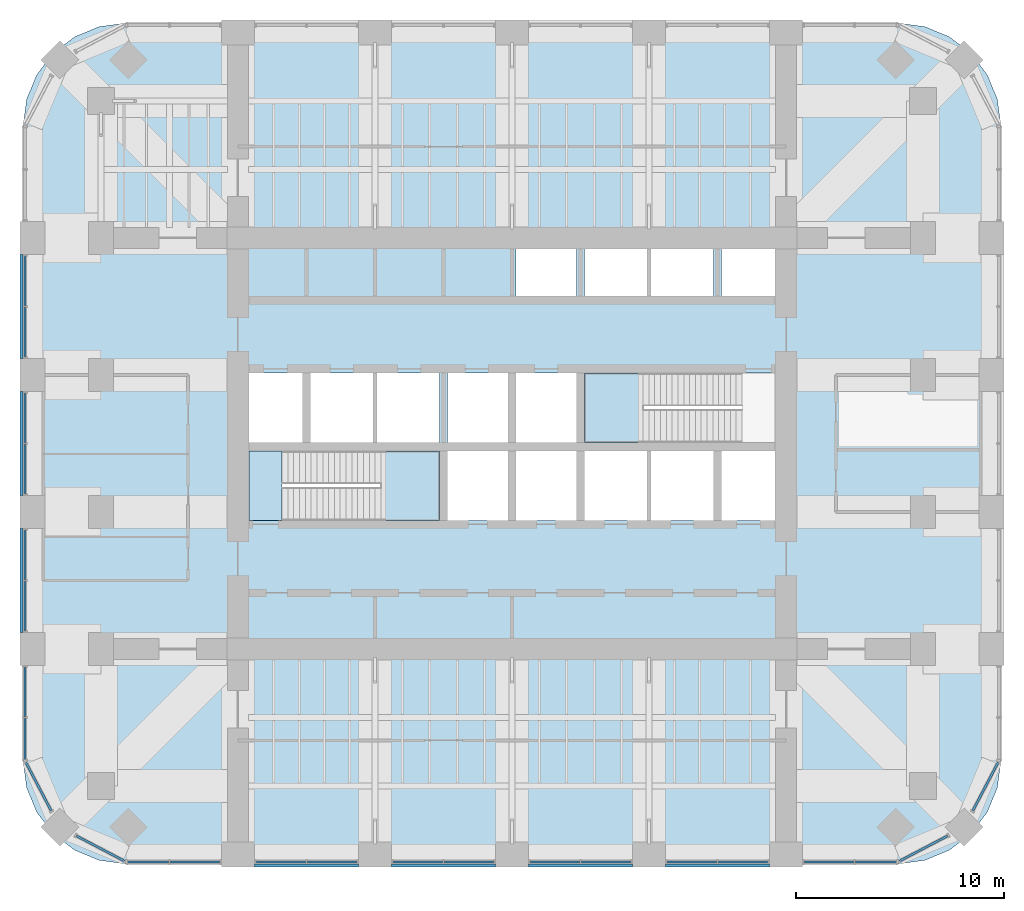
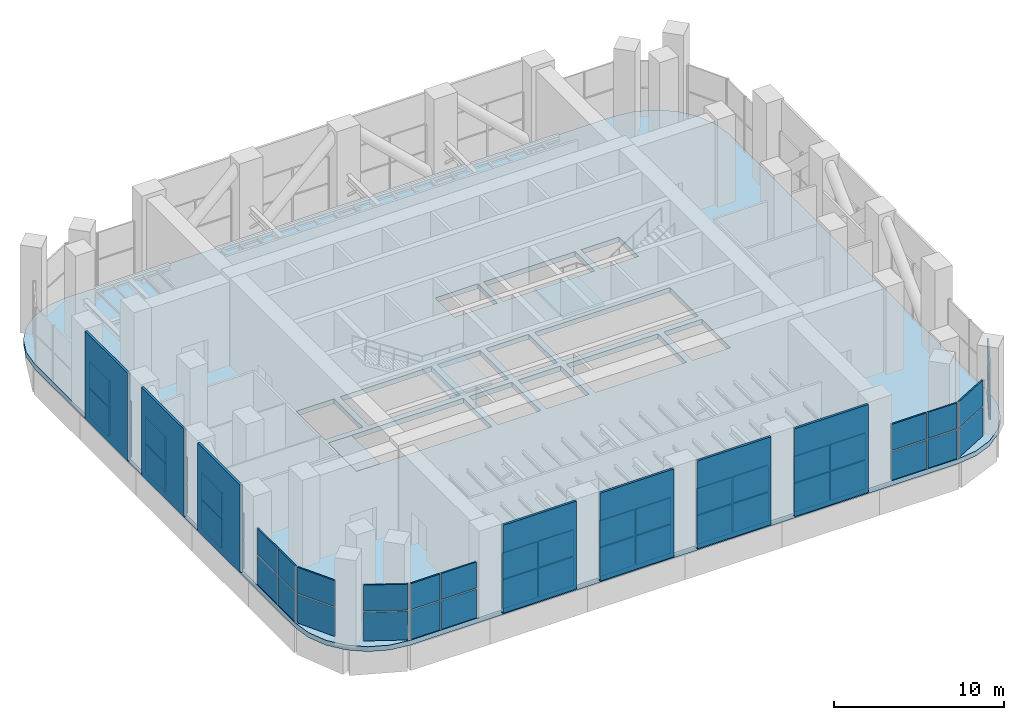
# One storey, part 9 of 15: 55 plates, 4 slabs, 16 elements without a shape of their own.
"""IFC4 building model written with IfcOpenShell, lengths in metres."""

from ifc_helpers import new_model, si_unit, direction, frame, origin, origin_2d, place, context, subcontext, project, spatial, polyline, rectangle, outline, extrude, material, layer, layer_set, type_object, element, aggregate, save


model = new_model("IFC4")

# Units and contexts
model_context = context("Model", 3, precision=1e-05, world=origin(), true_north=direction((0.0, 1.0)))
body_context = subcontext(model_context, "Body", "Model", "MODEL_VIEW")
ifc_project = project(units=[si_unit("LENGTHUNIT", "METRE"), si_unit("AREAUNIT", "SQUARE_METRE"), si_unit("VOLUMEUNIT", "CUBIC_METRE"), si_unit("PLANEANGLEUNIT", "RADIAN"), si_unit("MASSUNIT", "GRAM", prefix="KILO")], contexts=[model_context])

# Site, building, storey
site_placement = place(None, origin())
site = spatial("IfcSite", under=ifc_project, at=site_placement, CompositionType="ELEMENT")
building_placement = place(site_placement, origin())
building = spatial("IfcBuilding", under=site, at=building_placement, Name="Cobogo Forest Laboratory Tower", CompositionType="ELEMENT")
storey_placement = place(building_placement, frame((0.0, 0.0, 222.89990234375)))
storey = spatial("IfcBuildingStorey", under=building, at=storey_placement, Name="L51", CompositionType="ELEMENT", Elevation=222.89990234375)

# Plates
ifc_material_1 = material(Name="Pierced concrete block", Category="concrete")
ifc_layer_1 = layer(ifc_material_1, 0.14990234375)
ifc_layer_set_1 = layer_set([ifc_layer_1], Name="CO2 cobogo block screen 150")
plate_type_1 = type_object("IfcPlateType", Name="CO2 cobogo block screen 150", PredefinedType="USERDEFINED", material=ifc_layer_set_1)
for number, where, z_axis, x_axis, name in (
    (1, (16.5, 2.77490234375, -0.14990234375), (0.0, 0.0, 1.0), (1.0, 0.0, 0.0), "Cobogo screen S1 L51"),
    (2, (23.10009765625, 2.77490234375, -0.14990234375), (0.0, 0.0, 1.0), (1.0, 0.0, 0.0), "Cobogo screen S2 L51"),
    (3, (29.699951171875, 2.77490234375, -0.14990234375), (0.0, 0.0, 1.0), (1.0, 0.0, 0.0), "Cobogo screen S3 L51"),
    (4, (36.300048828125, 2.77490234375, -0.14990234375), (0.0, 0.0, 1.0), (1.0, 0.0, 0.0), "Cobogo screen S4 L51"),
    (5, (2.77490234375, 16.5, -0.14990234375), (0.0, 0.0, 1.0), (0.0, 1.0, 0.0), "Cobogo screen W1 L51"),
    (6, (2.77490234375, 23.10009765625, -0.14990234375), (0.0, 0.0, 1.0), (0.0, 1.0, 0.0), "Cobogo screen W2 L51"),
    (7, (2.77490234375, 29.699951171875, -0.14990234375), (0.0, 0.0, 1.0), (0.0, 1.0, 0.0), "Cobogo screen W3 L51"),
):
    element("IfcPlate", number, at=place(storey_placement, frame(where, z_axis=z_axis, x_axis=x_axis)), inside=storey, type_object=plate_type_1, Name=name, ObjectType="COBOGO SCREEN", PredefinedType="USERDEFINED", context=body_context, shape_type="SweptSolid", body=[
        extrude(rectangle(XDim=5.0, YDim=0.14990234375, at=origin_2d()), origin(), (0.0, 0.0, 1.0), 6.300048828125),
    ])

# Curtain wall, plates
ifc_material_2 = material(Name="Aluminium curtain wall", Category="aluminium")
curtain_wall_type = type_object("IfcCurtainWallType", Name="CW-P louvred curtain wall, plant floors", PredefinedType="USERDEFINED", material=ifc_material_2)
curtain_wall_1_placement = place(storey_placement, origin())
curtain_wall_1 = element("IfcCurtainWall", 8, at=curtain_wall_1_placement, inside=storey, type_object=curtain_wall_type, Name="Curtain wall 01 L51", ObjectType="LOUVRED CURTAIN WALL", PredefinedType="USERDEFINED")
ifc_material_3 = material(Name="Aluminium louvre", Category="aluminium")
ifc_layer_2 = layer(ifc_material_3, 0.10009765625)
ifc_layer_set_2 = layer_set([ifc_layer_2], Name="LV-1 aluminium weather louvre panel 100")
plate_type_2 = type_object("IfcPlateType", Name="LV-1 aluminium weather louvre panel 100", PredefinedType="CURTAIN_PANEL", material=ifc_layer_set_2)
plate_1_placement = place(storey_placement, frame((8.8701171875, 2.949951171875, 0.0), z_axis=(0.0, 0.0, 1.0), x_axis=(1.0, 0.0, 0.0)))
plate_1 = element("IfcPlate", 9, at=plate_1_placement, type_object=plate_type_2, Name="CW-P panel 1.1", PredefinedType="CURTAIN_PANEL", context=body_context, shape_type="SweptSolid", body=[
    extrude(rectangle(XDim=1.97998046875, YDim=0.10009765625, at=origin_2d()), origin(), (0.0, 0.0, 1.0), 2.06005859375),
])
plate_2_placement = place(storey_placement, frame((8.8701171875, 2.949951171875, 2.14013671875), z_axis=(0.0, 0.0, 1.0), x_axis=(1.0, 0.0, 0.0)))
plate_2 = element("IfcPlate", 10, at=plate_2_placement, type_object=plate_type_2, Name="CW-P panel 1.2", PredefinedType="CURTAIN_PANEL", context=body_context, shape_type="SweptSolid", body=[
    extrude(rectangle(XDim=1.97998046875, YDim=0.10009765625, at=origin_2d()), origin(), (0.0, 0.0, 1.0), 1.860107421875),
])
plate_3_placement = place(storey_placement, frame((11.1298828125, 2.949951171875, 0.0), z_axis=(0.0, 0.0, 1.0), x_axis=(1.0, 0.0, 0.0)))
plate_3 = element("IfcPlate", 11, at=plate_3_placement, type_object=plate_type_2, Name="CW-P panel 2.1", PredefinedType="CURTAIN_PANEL", context=body_context, shape_type="SweptSolid", body=[
    extrude(rectangle(XDim=2.3798828125, YDim=0.10009765625, at=origin_2d()), origin(), (0.0, 0.0, 1.0), 2.06005859375),
])
plate_4_placement = place(storey_placement, frame((11.1298828125, 2.949951171875, 2.14013671875), z_axis=(0.0, 0.0, 1.0), x_axis=(1.0, 0.0, 0.0)))
plate_4 = element("IfcPlate", 12, at=plate_4_placement, type_object=plate_type_2, Name="CW-P panel 2.2", PredefinedType="CURTAIN_PANEL", context=body_context, shape_type="SweptSolid", body=[
    extrude(rectangle(XDim=2.3798828125, YDim=0.10009765625, at=origin_2d()), origin(), (0.0, 0.0, 1.0), 1.860107421875),
])
aggregate(curtain_wall_1, [plate_1, plate_2, plate_3, plate_4])

curtain_wall_2_placement = place(storey_placement, origin())
curtain_wall_2 = element("IfcCurtainWall", 13, at=curtain_wall_2_placement, inside=storey, type_object=curtain_wall_type, Name="Curtain wall 02 L51", ObjectType="LOUVRED CURTAIN WALL", PredefinedType="USERDEFINED")
plate_5_placement = place(storey_placement, frame((15.27001953125, 2.949951171875, 0.0), z_axis=(0.0, 0.0, 1.0), x_axis=(1.0, 0.0, 0.0)))
plate_5 = element("IfcPlate", 14, at=plate_5_placement, type_object=plate_type_2, Name="CW-P panel 1.1", PredefinedType="CURTAIN_PANEL", context=body_context, shape_type="SweptSolid", body=[
    extrude(rectangle(XDim=2.3798828125, YDim=0.10009765625, at=origin_2d()), origin(), (0.0, 0.0, 1.0), 2.06005859375),
])
plate_6_placement = place(storey_placement, frame((15.27001953125, 2.949951171875, 2.14013671875), z_axis=(0.0, 0.0, 1.0), x_axis=(1.0, 0.0, 0.0)))
plate_6 = element("IfcPlate", 15, at=plate_6_placement, type_object=plate_type_2, Name="CW-P panel 1.2", PredefinedType="CURTAIN_PANEL", context=body_context, shape_type="SweptSolid", body=[
    extrude(rectangle(XDim=2.3798828125, YDim=0.10009765625, at=origin_2d()), origin(), (0.0, 0.0, 1.0), 1.860107421875),
])
plate_7_placement = place(storey_placement, frame((17.72998046875, 2.949951171875, 0.0), z_axis=(0.0, 0.0, 1.0), x_axis=(1.0, 0.0, 0.0)))
plate_7 = element("IfcPlate", 16, at=plate_7_placement, type_object=plate_type_2, Name="CW-P panel 2.1", PredefinedType="CURTAIN_PANEL", context=body_context, shape_type="SweptSolid", body=[
    extrude(rectangle(XDim=2.3798828125, YDim=0.10009765625, at=origin_2d()), origin(), (0.0, 0.0, 1.0), 2.06005859375),
])
plate_8_placement = place(storey_placement, frame((17.72998046875, 2.949951171875, 2.14013671875), z_axis=(0.0, 0.0, 1.0), x_axis=(1.0, 0.0, 0.0)))
plate_8 = element("IfcPlate", 17, at=plate_8_placement, type_object=plate_type_2, Name="CW-P panel 2.2", PredefinedType="CURTAIN_PANEL", context=body_context, shape_type="SweptSolid", body=[
    extrude(rectangle(XDim=2.3798828125, YDim=0.10009765625, at=origin_2d()), origin(), (0.0, 0.0, 1.0), 1.860107421875),
])
aggregate(curtain_wall_2, [plate_5, plate_6, plate_7, plate_8])

curtain_wall_3_placement = place(storey_placement, origin())
curtain_wall_3 = element("IfcCurtainWall", 18, at=curtain_wall_3_placement, inside=storey, type_object=curtain_wall_type, Name="Curtain wall 03 L51", ObjectType="LOUVRED CURTAIN WALL", PredefinedType="USERDEFINED")
plate_9_placement = place(storey_placement, frame((21.8701171875, 2.949951171875, 0.0), z_axis=(0.0, 0.0, 1.0), x_axis=(1.0, 0.0, 0.0)))
plate_9 = element("IfcPlate", 19, at=plate_9_placement, type_object=plate_type_2, Name="CW-P panel 1.1", PredefinedType="CURTAIN_PANEL", context=body_context, shape_type="SweptSolid", body=[
    extrude(rectangle(XDim=2.3798828125, YDim=0.10009765625, at=origin_2d()), origin(), (0.0, 0.0, 1.0), 2.06005859375),
])
plate_10_placement = place(storey_placement, frame((21.8701171875, 2.949951171875, 2.14013671875), z_axis=(0.0, 0.0, 1.0), x_axis=(1.0, 0.0, 0.0)))
plate_10 = element("IfcPlate", 20, at=plate_10_placement, type_object=plate_type_2, Name="CW-P panel 1.2", PredefinedType="CURTAIN_PANEL", context=body_context, shape_type="SweptSolid", body=[
    extrude(rectangle(XDim=2.3798828125, YDim=0.10009765625, at=origin_2d()), origin(), (0.0, 0.0, 1.0), 1.860107421875),
])
plate_11_placement = place(storey_placement, frame((24.330078125, 2.949951171875, 0.0), z_axis=(0.0, 0.0, 1.0), x_axis=(1.0, 0.0, 0.0)))
plate_11 = element("IfcPlate", 21, at=plate_11_placement, type_object=plate_type_2, Name="CW-P panel 2.1", PredefinedType="CURTAIN_PANEL", context=body_context, shape_type="SweptSolid", body=[
    extrude(rectangle(XDim=2.3798828125, YDim=0.10009765625, at=origin_2d()), origin(), (0.0, 0.0, 1.0), 2.06005859375),
])
plate_12_placement = place(storey_placement, frame((24.330078125, 2.949951171875, 2.14013671875), z_axis=(0.0, 0.0, 1.0), x_axis=(1.0, 0.0, 0.0)))
plate_12 = element("IfcPlate", 22, at=plate_12_placement, type_object=plate_type_2, Name="CW-P panel 2.2", PredefinedType="CURTAIN_PANEL", context=body_context, shape_type="SweptSolid", body=[
    extrude(rectangle(XDim=2.3798828125, YDim=0.10009765625, at=origin_2d()), origin(), (0.0, 0.0, 1.0), 1.860107421875),
])
aggregate(curtain_wall_3, [plate_9, plate_10, plate_11, plate_12])

curtain_wall_4_placement = place(storey_placement, origin())
curtain_wall_4 = element("IfcCurtainWall", 23, at=curtain_wall_4_placement, inside=storey, type_object=curtain_wall_type, Name="Curtain wall 04 L51", ObjectType="LOUVRED CURTAIN WALL", PredefinedType="USERDEFINED")
plate_13_placement = place(storey_placement, frame((28.469970703125, 2.949951171875, 0.0), z_axis=(0.0, 0.0, 1.0), x_axis=(1.0, 0.0, 0.0)))
plate_13 = element("IfcPlate", 24, at=plate_13_placement, type_object=plate_type_2, Name="CW-P panel 1.1", PredefinedType="CURTAIN_PANEL", context=body_context, shape_type="SweptSolid", body=[
    extrude(rectangle(XDim=2.3798828125, YDim=0.10009765625, at=origin_2d()), origin(), (0.0, 0.0, 1.0), 2.06005859375),
])
plate_14_placement = place(storey_placement, frame((28.469970703125, 2.949951171875, 2.14013671875), z_axis=(0.0, 0.0, 1.0), x_axis=(1.0, 0.0, 0.0)))
plate_14 = element("IfcPlate", 25, at=plate_14_placement, type_object=plate_type_2, Name="CW-P panel 1.2", PredefinedType="CURTAIN_PANEL", context=body_context, shape_type="SweptSolid", body=[
    extrude(rectangle(XDim=2.3798828125, YDim=0.10009765625, at=origin_2d()), origin(), (0.0, 0.0, 1.0), 1.860107421875),
])
plate_15_placement = place(storey_placement, frame((30.929931640625, 2.949951171875, 0.0), z_axis=(0.0, 0.0, 1.0), x_axis=(1.0, 0.0, 0.0)))
plate_15 = element("IfcPlate", 26, at=plate_15_placement, type_object=plate_type_2, Name="CW-P panel 2.1", PredefinedType="CURTAIN_PANEL", context=body_context, shape_type="SweptSolid", body=[
    extrude(rectangle(XDim=2.3798828125, YDim=0.10009765625, at=origin_2d()), origin(), (0.0, 0.0, 1.0), 2.06005859375),
])
plate_16_placement = place(storey_placement, frame((30.929931640625, 2.949951171875, 2.14013671875), z_axis=(0.0, 0.0, 1.0), x_axis=(1.0, 0.0, 0.0)))
plate_16 = element("IfcPlate", 27, at=plate_16_placement, type_object=plate_type_2, Name="CW-P panel 2.2", PredefinedType="CURTAIN_PANEL", context=body_context, shape_type="SweptSolid", body=[
    extrude(rectangle(XDim=2.3798828125, YDim=0.10009765625, at=origin_2d()), origin(), (0.0, 0.0, 1.0), 1.860107421875),
])
aggregate(curtain_wall_4, [plate_13, plate_14, plate_15, plate_16])

curtain_wall_5_placement = place(storey_placement, origin())
curtain_wall_5 = element("IfcCurtainWall", 28, at=curtain_wall_5_placement, inside=storey, type_object=curtain_wall_type, Name="Curtain wall 05 L51", ObjectType="LOUVRED CURTAIN WALL", PredefinedType="USERDEFINED")
plate_17_placement = place(storey_placement, frame((35.070068359375, 2.949951171875, 0.0), z_axis=(0.0, 0.0, 1.0), x_axis=(1.0, 0.0, 0.0)))
plate_17 = element("IfcPlate", 29, at=plate_17_placement, type_object=plate_type_2, Name="CW-P panel 1.1", PredefinedType="CURTAIN_PANEL", context=body_context, shape_type="SweptSolid", body=[
    extrude(rectangle(XDim=2.3798828125, YDim=0.10009765625, at=origin_2d()), origin(), (0.0, 0.0, 1.0), 2.06005859375),
])
plate_18_placement = place(storey_placement, frame((35.070068359375, 2.949951171875, 2.14013671875), z_axis=(0.0, 0.0, 1.0), x_axis=(1.0, 0.0, 0.0)))
plate_18 = element("IfcPlate", 30, at=plate_18_placement, type_object=plate_type_2, Name="CW-P panel 1.2", PredefinedType="CURTAIN_PANEL", context=body_context, shape_type="SweptSolid", body=[
    extrude(rectangle(XDim=2.3798828125, YDim=0.10009765625, at=origin_2d()), origin(), (0.0, 0.0, 1.0), 1.860107421875),
])
plate_19_placement = place(storey_placement, frame((37.530029296875, 2.949951171875, 0.0), z_axis=(0.0, 0.0, 1.0), x_axis=(1.0, 0.0, 0.0)))
plate_19 = element("IfcPlate", 31, at=plate_19_placement, type_object=plate_type_2, Name="CW-P panel 2.1", PredefinedType="CURTAIN_PANEL", context=body_context, shape_type="SweptSolid", body=[
    extrude(rectangle(XDim=2.3798828125, YDim=0.10009765625, at=origin_2d()), origin(), (0.0, 0.0, 1.0), 2.06005859375),
])
plate_20_placement = place(storey_placement, frame((37.530029296875, 2.949951171875, 2.14013671875), z_axis=(0.0, 0.0, 1.0), x_axis=(1.0, 0.0, 0.0)))
plate_20 = element("IfcPlate", 32, at=plate_20_placement, type_object=plate_type_2, Name="CW-P panel 2.2", PredefinedType="CURTAIN_PANEL", context=body_context, shape_type="SweptSolid", body=[
    extrude(rectangle(XDim=2.3798828125, YDim=0.10009765625, at=origin_2d()), origin(), (0.0, 0.0, 1.0), 1.860107421875),
])
aggregate(curtain_wall_5, [plate_17, plate_18, plate_19, plate_20])

curtain_wall_6_placement = place(storey_placement, origin())
curtain_wall_6 = element("IfcCurtainWall", 33, at=curtain_wall_6_placement, inside=storey, type_object=curtain_wall_type, Name="Curtain wall 06 L51", ObjectType="LOUVRED CURTAIN WALL", PredefinedType="USERDEFINED")
plate_21_placement = place(storey_placement, frame((41.669921875, 2.949951171875, 0.0), z_axis=(0.0, 0.0, 1.0), x_axis=(1.0, 0.0, 0.0)))
plate_21 = element("IfcPlate", 34, at=plate_21_placement, type_object=plate_type_2, Name="CW-P panel 1.1", PredefinedType="CURTAIN_PANEL", context=body_context, shape_type="SweptSolid", body=[
    extrude(rectangle(XDim=2.3798828125, YDim=0.10009765625, at=origin_2d()), origin(), (0.0, 0.0, 1.0), 2.06005859375),
])
plate_22_placement = place(storey_placement, frame((41.669921875, 2.949951171875, 2.14013671875), z_axis=(0.0, 0.0, 1.0), x_axis=(1.0, 0.0, 0.0)))
plate_22 = element("IfcPlate", 35, at=plate_22_placement, type_object=plate_type_2, Name="CW-P panel 1.2", PredefinedType="CURTAIN_PANEL", context=body_context, shape_type="SweptSolid", body=[
    extrude(rectangle(XDim=2.3798828125, YDim=0.10009765625, at=origin_2d()), origin(), (0.0, 0.0, 1.0), 1.860107421875),
])
plate_23_placement = place(storey_placement, frame((43.929931640625, 2.949951171875, 0.0), z_axis=(0.0, 0.0, 1.0), x_axis=(1.0, 0.0, 0.0)))
plate_23 = element("IfcPlate", 36, at=plate_23_placement, type_object=plate_type_2, Name="CW-P panel 2.1", PredefinedType="CURTAIN_PANEL", context=body_context, shape_type="SweptSolid", body=[
    extrude(rectangle(XDim=1.97998046875, YDim=0.10009765625, at=origin_2d()), origin(), (0.0, 0.0, 1.0), 2.06005859375),
])
plate_24_placement = place(storey_placement, frame((43.929931640625, 2.949951171875, 2.14013671875), z_axis=(0.0, 0.0, 1.0), x_axis=(1.0, 0.0, 0.0)))
plate_24 = element("IfcPlate", 37, at=plate_24_placement, type_object=plate_type_2, Name="CW-P panel 2.2", PredefinedType="CURTAIN_PANEL", context=body_context, shape_type="SweptSolid", body=[
    extrude(rectangle(XDim=1.97998046875, YDim=0.10009765625, at=origin_2d()), origin(), (0.0, 0.0, 1.0), 1.860107421875),
])
aggregate(curtain_wall_6, [plate_21, plate_22, plate_23, plate_24])

curtain_wall_7_placement = place(storey_placement, origin())
curtain_wall_7 = element("IfcCurtainWall", 38, at=curtain_wall_7_placement, inside=storey, type_object=curtain_wall_type, Name="Curtain wall 07 L51", ObjectType="LOUVRED CURTAIN WALL", PredefinedType="USERDEFINED")
plate_25_placement = place(storey_placement, frame((46.229248046875, 3.59423828125, 0.0), z_axis=(0.0, 0.0, 1.0), x_axis=(0.885686547075, 0.464283685186, 0.0)))
plate_25 = element("IfcPlate", 39, at=plate_25_placement, type_object=plate_type_2, Name="CW-P panel 1.1", PredefinedType="CURTAIN_PANEL", context=body_context, shape_type="SweptSolid", body=[
    extrude(rectangle(XDim=2.615478515625, YDim=0.10009765625, at=origin_2d()), origin(), (0.0, 0.0, 1.0), 2.06005859375),
])
plate_26_placement = place(storey_placement, frame((46.229248046875, 3.59423828125, 2.14013671875), z_axis=(0.0, 0.0, 1.0), x_axis=(0.885686547075, 0.464283685186, 0.0)))
plate_26 = element("IfcPlate", 40, at=plate_26_placement, type_object=plate_type_2, Name="CW-P panel 1.2", PredefinedType="CURTAIN_PANEL", context=body_context, shape_type="SweptSolid", body=[
    extrude(rectangle(XDim=2.615478515625, YDim=0.10009765625, at=origin_2d()), origin(), (0.0, 0.0, 1.0), 1.860107421875),
])
aggregate(curtain_wall_7, [plate_25, plate_26])

curtain_wall_8_placement = place(storey_placement, origin())
curtain_wall_8 = element("IfcCurtainWall", 41, at=curtain_wall_8_placement, inside=storey, type_object=curtain_wall_type, Name="Curtain wall 08 L51", ObjectType="LOUVRED CURTAIN WALL", PredefinedType="USERDEFINED")
plate_27_placement = place(storey_placement, frame((49.20556640625, 6.57080078125, 0.0), z_axis=(0.0, 0.0, 1.0), x_axis=(0.464283685186, 0.885686547075, 0.0)))
plate_27 = element("IfcPlate", 42, at=plate_27_placement, type_object=plate_type_2, Name="CW-P panel 1.1", PredefinedType="CURTAIN_PANEL", context=body_context, shape_type="SweptSolid", body=[
    extrude(rectangle(XDim=2.615478515625, YDim=0.10009765625, at=origin_2d()), origin(), (0.0, 0.0, 1.0), 2.06005859375),
])
plate_28_placement = place(storey_placement, frame((49.20556640625, 6.57080078125, 2.14013671875), z_axis=(0.0, 0.0, 1.0), x_axis=(0.464283685186, 0.885686547075, 0.0)))
plate_28 = element("IfcPlate", 43, at=plate_28_placement, type_object=plate_type_2, Name="CW-P panel 1.2", PredefinedType="CURTAIN_PANEL", context=body_context, shape_type="SweptSolid", body=[
    extrude(rectangle(XDim=2.615478515625, YDim=0.10009765625, at=origin_2d()), origin(), (0.0, 0.0, 1.0), 1.860107421875),
])
aggregate(curtain_wall_8, [plate_27, plate_28])

curtain_wall_9_placement = place(storey_placement, origin())
curtain_wall_9 = element("IfcCurtainWall", 44, at=curtain_wall_9_placement, inside=storey, type_object=curtain_wall_type, Name="Curtain wall 25 L51", ObjectType="LOUVRED CURTAIN WALL", PredefinedType="USERDEFINED")
plate_29_placement = place(storey_placement, frame((2.949951171875, 30.929931640625, 0.0), z_axis=(0.0, 0.0, 1.0), x_axis=(0.0, -1.0, 0.0)))
plate_29 = element("IfcPlate", 45, at=plate_29_placement, type_object=plate_type_2, Name="CW-P panel 1.1", PredefinedType="CURTAIN_PANEL", context=body_context, shape_type="SweptSolid", body=[
    extrude(rectangle(XDim=2.3798828125, YDim=0.10009765625, at=origin_2d()), origin(), (0.0, 0.0, 1.0), 2.06005859375),
])
plate_30_placement = place(storey_placement, frame((2.949951171875, 30.929931640625, 2.14013671875), z_axis=(0.0, 0.0, 1.0), x_axis=(0.0, -1.0, 0.0)))
plate_30 = element("IfcPlate", 46, at=plate_30_placement, type_object=plate_type_2, Name="CW-P panel 1.2", PredefinedType="CURTAIN_PANEL", context=body_context, shape_type="SweptSolid", body=[
    extrude(rectangle(XDim=2.3798828125, YDim=0.10009765625, at=origin_2d()), origin(), (0.0, 0.0, 1.0), 1.860107421875),
])
plate_31_placement = place(storey_placement, frame((2.949951171875, 28.469970703125, 0.0), z_axis=(0.0, 0.0, 1.0), x_axis=(0.0, -1.0, 0.0)))
plate_31 = element("IfcPlate", 47, at=plate_31_placement, type_object=plate_type_2, Name="CW-P panel 2.1", PredefinedType="CURTAIN_PANEL", context=body_context, shape_type="SweptSolid", body=[
    extrude(rectangle(XDim=2.3798828125, YDim=0.10009765625, at=origin_2d()), origin(), (0.0, 0.0, 1.0), 2.06005859375),
])
plate_32_placement = place(storey_placement, frame((2.949951171875, 28.469970703125, 2.14013671875), z_axis=(0.0, 0.0, 1.0), x_axis=(0.0, -1.0, 0.0)))
plate_32 = element("IfcPlate", 48, at=plate_32_placement, type_object=plate_type_2, Name="CW-P panel 2.2", PredefinedType="CURTAIN_PANEL", context=body_context, shape_type="SweptSolid", body=[
    extrude(rectangle(XDim=2.3798828125, YDim=0.10009765625, at=origin_2d()), origin(), (0.0, 0.0, 1.0), 1.860107421875),
])
aggregate(curtain_wall_9, [plate_29, plate_30, plate_31, plate_32])

curtain_wall_10_placement = place(storey_placement, origin())
curtain_wall_10 = element("IfcCurtainWall", 49, at=curtain_wall_10_placement, inside=storey, type_object=curtain_wall_type, Name="Curtain wall 26 L51", ObjectType="LOUVRED CURTAIN WALL", PredefinedType="USERDEFINED")
plate_33_placement = place(storey_placement, frame((2.949951171875, 24.330078125, 0.0), z_axis=(0.0, 0.0, 1.0), x_axis=(0.0, -1.0, 0.0)))
plate_33 = element("IfcPlate", 50, at=plate_33_placement, type_object=plate_type_2, Name="CW-P panel 1.1", PredefinedType="CURTAIN_PANEL", context=body_context, shape_type="SweptSolid", body=[
    extrude(rectangle(XDim=2.3798828125, YDim=0.10009765625, at=origin_2d()), origin(), (0.0, 0.0, 1.0), 2.06005859375),
])
plate_34_placement = place(storey_placement, frame((2.949951171875, 24.330078125, 2.14013671875), z_axis=(0.0, 0.0, 1.0), x_axis=(0.0, -1.0, 0.0)))
plate_34 = element("IfcPlate", 51, at=plate_34_placement, type_object=plate_type_2, Name="CW-P panel 1.2", PredefinedType="CURTAIN_PANEL", context=body_context, shape_type="SweptSolid", body=[
    extrude(rectangle(XDim=2.3798828125, YDim=0.10009765625, at=origin_2d()), origin(), (0.0, 0.0, 1.0), 1.860107421875),
])
plate_35_placement = place(storey_placement, frame((2.949951171875, 21.8701171875, 0.0), z_axis=(0.0, 0.0, 1.0), x_axis=(0.0, -1.0, 0.0)))
plate_35 = element("IfcPlate", 52, at=plate_35_placement, type_object=plate_type_2, Name="CW-P panel 2.1", PredefinedType="CURTAIN_PANEL", context=body_context, shape_type="SweptSolid", body=[
    extrude(rectangle(XDim=2.3798828125, YDim=0.10009765625, at=origin_2d()), origin(), (0.0, 0.0, 1.0), 2.06005859375),
])
plate_36_placement = place(storey_placement, frame((2.949951171875, 21.8701171875, 2.14013671875), z_axis=(0.0, 0.0, 1.0), x_axis=(0.0, -1.0, 0.0)))
plate_36 = element("IfcPlate", 53, at=plate_36_placement, type_object=plate_type_2, Name="CW-P panel 2.2", PredefinedType="CURTAIN_PANEL", context=body_context, shape_type="SweptSolid", body=[
    extrude(rectangle(XDim=2.3798828125, YDim=0.10009765625, at=origin_2d()), origin(), (0.0, 0.0, 1.0), 1.860107421875),
])
aggregate(curtain_wall_10, [plate_33, plate_34, plate_35, plate_36])

curtain_wall_11_placement = place(storey_placement, origin())
curtain_wall_11 = element("IfcCurtainWall", 54, at=curtain_wall_11_placement, inside=storey, type_object=curtain_wall_type, Name="Curtain wall 27 L51", ObjectType="LOUVRED CURTAIN WALL", PredefinedType="USERDEFINED")
plate_37_placement = place(storey_placement, frame((2.949951171875, 17.72998046875, 0.0), z_axis=(0.0, 0.0, 1.0), x_axis=(0.0, -1.0, 0.0)))
plate_37 = element("IfcPlate", 55, at=plate_37_placement, type_object=plate_type_2, Name="CW-P panel 1.1", PredefinedType="CURTAIN_PANEL", context=body_context, shape_type="SweptSolid", body=[
    extrude(rectangle(XDim=2.3798828125, YDim=0.10009765625, at=origin_2d()), origin(), (0.0, 0.0, 1.0), 2.06005859375),
])
plate_38_placement = place(storey_placement, frame((2.949951171875, 17.72998046875, 2.14013671875), z_axis=(0.0, 0.0, 1.0), x_axis=(0.0, -1.0, 0.0)))
plate_38 = element("IfcPlate", 56, at=plate_38_placement, type_object=plate_type_2, Name="CW-P panel 1.2", PredefinedType="CURTAIN_PANEL", context=body_context, shape_type="SweptSolid", body=[
    extrude(rectangle(XDim=2.3798828125, YDim=0.10009765625, at=origin_2d()), origin(), (0.0, 0.0, 1.0), 1.860107421875),
])
plate_39_placement = place(storey_placement, frame((2.949951171875, 15.27001953125, 0.0), z_axis=(0.0, 0.0, 1.0), x_axis=(0.0, -1.0, 0.0)))
plate_39 = element("IfcPlate", 57, at=plate_39_placement, type_object=plate_type_2, Name="CW-P panel 2.1", PredefinedType="CURTAIN_PANEL", context=body_context, shape_type="SweptSolid", body=[
    extrude(rectangle(XDim=2.3798828125, YDim=0.10009765625, at=origin_2d()), origin(), (0.0, 0.0, 1.0), 2.06005859375),
])
plate_40_placement = place(storey_placement, frame((2.949951171875, 15.27001953125, 2.14013671875), z_axis=(0.0, 0.0, 1.0), x_axis=(0.0, -1.0, 0.0)))
plate_40 = element("IfcPlate", 58, at=plate_40_placement, type_object=plate_type_2, Name="CW-P panel 2.2", PredefinedType="CURTAIN_PANEL", context=body_context, shape_type="SweptSolid", body=[
    extrude(rectangle(XDim=2.3798828125, YDim=0.10009765625, at=origin_2d()), origin(), (0.0, 0.0, 1.0), 1.860107421875),
])
aggregate(curtain_wall_11, [plate_37, plate_38, plate_39, plate_40])

curtain_wall_12_placement = place(storey_placement, origin())
curtain_wall_12 = element("IfcCurtainWall", 59, at=curtain_wall_12_placement, inside=storey, type_object=curtain_wall_type, Name="Curtain wall 28 L51", ObjectType="LOUVRED CURTAIN WALL", PredefinedType="USERDEFINED")
plate_41_placement = place(storey_placement, frame((2.949951171875, 11.1298828125, 0.0), z_axis=(0.0, 0.0, 1.0), x_axis=(0.0, -1.0, 0.0)))
plate_41 = element("IfcPlate", 60, at=plate_41_placement, type_object=plate_type_2, Name="CW-P panel 1.1", PredefinedType="CURTAIN_PANEL", context=body_context, shape_type="SweptSolid", body=[
    extrude(rectangle(XDim=2.3798828125, YDim=0.10009765625, at=origin_2d()), origin(), (0.0, 0.0, 1.0), 2.06005859375),
])
plate_42_placement = place(storey_placement, frame((2.949951171875, 11.1298828125, 2.14013671875), z_axis=(0.0, 0.0, 1.0), x_axis=(0.0, -1.0, 0.0)))
plate_42 = element("IfcPlate", 61, at=plate_42_placement, type_object=plate_type_2, Name="CW-P panel 1.2", PredefinedType="CURTAIN_PANEL", context=body_context, shape_type="SweptSolid", body=[
    extrude(rectangle(XDim=2.3798828125, YDim=0.10009765625, at=origin_2d()), origin(), (0.0, 0.0, 1.0), 1.860107421875),
])
plate_43_placement = place(storey_placement, frame((2.949951171875, 8.8701171875, 0.0), z_axis=(0.0, 0.0, 1.0), x_axis=(0.0, -1.0, 0.0)))
plate_43 = element("IfcPlate", 62, at=plate_43_placement, type_object=plate_type_2, Name="CW-P panel 2.1", PredefinedType="CURTAIN_PANEL", context=body_context, shape_type="SweptSolid", body=[
    extrude(rectangle(XDim=1.97998046875, YDim=0.10009765625, at=origin_2d()), origin(), (0.0, 0.0, 1.0), 2.06005859375),
])
plate_44_placement = place(storey_placement, frame((2.949951171875, 8.8701171875, 2.14013671875), z_axis=(0.0, 0.0, 1.0), x_axis=(0.0, -1.0, 0.0)))
plate_44 = element("IfcPlate", 63, at=plate_44_placement, type_object=plate_type_2, Name="CW-P panel 2.2", PredefinedType="CURTAIN_PANEL", context=body_context, shape_type="SweptSolid", body=[
    extrude(rectangle(XDim=1.97998046875, YDim=0.10009765625, at=origin_2d()), origin(), (0.0, 0.0, 1.0), 1.860107421875),
])
aggregate(curtain_wall_12, [plate_41, plate_42, plate_43, plate_44])

curtain_wall_13_placement = place(storey_placement, origin())
curtain_wall_13 = element("IfcCurtainWall", 64, at=curtain_wall_13_placement, inside=storey, type_object=curtain_wall_type, Name="Curtain wall 29 L51", ObjectType="LOUVRED CURTAIN WALL", PredefinedType="USERDEFINED")
plate_45_placement = place(storey_placement, frame((3.59423828125, 6.57080078125, 0.0), z_axis=(0.0, 0.0, 1.0), x_axis=(0.464283685186, -0.885686547075, 0.0)))
plate_45 = element("IfcPlate", 65, at=plate_45_placement, type_object=plate_type_2, Name="CW-P panel 1.1", PredefinedType="CURTAIN_PANEL", context=body_context, shape_type="SweptSolid", body=[
    extrude(rectangle(XDim=2.615478515625, YDim=0.10009765625, at=origin_2d()), origin(), (0.0, 0.0, 1.0), 2.06005859375),
])
plate_46_placement = place(storey_placement, frame((3.59423828125, 6.57080078125, 2.14013671875), z_axis=(0.0, 0.0, 1.0), x_axis=(0.464283685186, -0.885686547075, 0.0)))
plate_46 = element("IfcPlate", 66, at=plate_46_placement, type_object=plate_type_2, Name="CW-P panel 1.2", PredefinedType="CURTAIN_PANEL", context=body_context, shape_type="SweptSolid", body=[
    extrude(rectangle(XDim=2.615478515625, YDim=0.10009765625, at=origin_2d()), origin(), (0.0, 0.0, 1.0), 1.860107421875),
])
aggregate(curtain_wall_13, [plate_45, plate_46])

curtain_wall_14_placement = place(storey_placement, origin())
curtain_wall_14 = element("IfcCurtainWall", 67, at=curtain_wall_14_placement, inside=storey, type_object=curtain_wall_type, Name="Curtain wall 30 L51", ObjectType="LOUVRED CURTAIN WALL", PredefinedType="USERDEFINED")
plate_47_placement = place(storey_placement, frame((6.57080078125, 3.59423828125, 0.0), z_axis=(0.0, 0.0, 1.0), x_axis=(0.885686547075, -0.464283685186, 0.0)))
plate_47 = element("IfcPlate", 68, at=plate_47_placement, type_object=plate_type_2, Name="CW-P panel 1.1", PredefinedType="CURTAIN_PANEL", context=body_context, shape_type="SweptSolid", body=[
    extrude(rectangle(XDim=2.615478515625, YDim=0.10009765625, at=origin_2d()), origin(), (0.0, 0.0, 1.0), 2.06005859375),
])
plate_48_placement = place(storey_placement, frame((6.57080078125, 3.59423828125, 2.14013671875), z_axis=(0.0, 0.0, 1.0), x_axis=(0.885686547075, -0.464283685186, 0.0)))
plate_48 = element("IfcPlate", 69, at=plate_48_placement, type_object=plate_type_2, Name="CW-P panel 1.2", PredefinedType="CURTAIN_PANEL", context=body_context, shape_type="SweptSolid", body=[
    extrude(rectangle(XDim=2.615478515625, YDim=0.10009765625, at=origin_2d()), origin(), (0.0, 0.0, 1.0), 1.860107421875),
])
aggregate(curtain_wall_14, [plate_47, plate_48])

# Slab
ifc_material_4 = material(Name="Concrete HA-40 (C40/50)", Category="concrete")
ifc_layer_3 = layer(ifc_material_4, 0.35009765625)
ifc_layer_set_3 = layer_set([ifc_layer_3], Name="Plant floor slab 350")
slab_type_1 = type_object("IfcSlabType", Name="Plant floor slab 350", PredefinedType="FLOOR", material=ifc_layer_set_3)
slab_1_placement = place(storey_placement, frame((0.0, 0.0, -0.349853515625)))
element("IfcSlab", 70, at=slab_1_placement, inside=storey, type_object=slab_type_1, Name="L51 floor slab", PredefinedType="FLOOR", context=body_context, shape_type="SweptSolid", body=[
    extrude(outline(polyline([(45.0, 2.85009765625), (46.28125, 3.0185546875), (47.47509765625, 3.51318359375), (48.500244140625, 4.2998046875), (49.286865234375, 5.324951171875), (49.78125, 6.518798828125), (49.949951171875, 7.800048828125), (49.949951171875, 38.39990234375), (49.78125, 39.68115234375), (49.286865234375, 40.875), (48.500244140625, 41.900146484375), (47.47509765625, 42.686767578125), (46.28125, 43.181396484375), (45.0, 43.35009765625), (7.800048828125, 43.35009765625), (6.518798828125, 43.181396484375), (5.324951171875, 42.686767578125), (4.2998046875, 41.900146484375), (3.51318359375, 40.875), (3.0185546875, 39.68115234375), (2.85009765625, 38.39990234375), (2.85009765625, 7.800048828125), (3.0185546875, 6.518798828125), (3.51318359375, 5.324951171875), (4.2998046875, 4.2998046875), (5.324951171875, 3.51318359375), (6.518798828125, 3.0185546875), (7.800048828125, 2.85009765625), (45.0, 2.85009765625)]), holes=[polyline([(22.89990234375, 19.39990234375), (13.72509765625, 19.39990234375), (13.72509765625, 22.75), (22.89990234375, 22.75), (22.89990234375, 19.39990234375)]), polyline([(26.199951171875, 19.39990234375), (23.300048828125, 19.39990234375), (23.300048828125, 22.75), (26.199951171875, 22.75), (26.199951171875, 19.39990234375)]), polyline([(29.5, 19.39990234375), (26.60009765625, 19.39990234375), (26.60009765625, 22.75), (29.5, 22.75), (29.5, 19.39990234375)]), polyline([(36.10009765625, 22.75), (36.10009765625, 19.39990234375), (29.89990234375, 19.39990234375), (29.89990234375, 22.75), (36.10009765625, 22.75)]), polyline([(39.074951171875, 19.39990234375), (36.5, 19.39990234375), (36.5, 22.75), (39.074951171875, 22.75), (39.074951171875, 19.39990234375)]), polyline([(16.300048828125, 23.14990234375), (13.72509765625, 23.14990234375), (13.72509765625, 26.5), (16.300048828125, 26.5), (16.300048828125, 23.14990234375)]), polyline([(22.89990234375, 26.5), (22.89990234375, 23.14990234375), (16.699951171875, 23.14990234375), (16.699951171875, 26.5), (22.89990234375, 26.5)]), polyline([(26.199951171875, 23.14990234375), (23.300048828125, 23.14990234375), (23.300048828125, 26.5), (26.199951171875, 26.5), (26.199951171875, 23.14990234375)]), polyline([(29.5, 23.14990234375), (26.60009765625, 23.14990234375), (26.60009765625, 26.5), (29.5, 26.5), (29.5, 23.14990234375)]), polyline([(39.074951171875, 23.14990234375), (29.89990234375, 23.14990234375), (29.89990234375, 26.5), (39.074951171875, 26.5), (39.074951171875, 23.14990234375)]), polyline([(29.5, 30.199951171875), (26.60009765625, 30.199951171875), (26.60009765625, 32.47509765625), (29.5, 32.47509765625), (29.5, 30.199951171875)]), polyline([(36.10009765625, 32.47509765625), (36.10009765625, 30.199951171875), (29.89990234375, 30.199951171875), (29.89990234375, 32.47509765625), (36.10009765625, 32.47509765625)]), polyline([(39.074951171875, 30.199951171875), (36.5, 30.199951171875), (36.5, 32.47509765625), (39.074951171875, 32.47509765625), (39.074951171875, 30.199951171875)])]), origin(), (0.0, 0.0, 1.0), 0.349853515625),
])

# Stair, slabs
ifc_material_5 = material(Name="Precast concrete HA-40 (C40/50)", Category="concrete")
stair_type = type_object("IfcStairType", Name="ST36 exit stair 36 risers", PredefinedType="HALF_TURN_STAIR", material=ifc_material_5)
stair_1_placement = place(storey_placement, origin())
stair_1 = element("IfcStair", 71, at=stair_1_placement, inside=storey, type_object=stair_type, Name="Stair 1 L51 to L52", PredefinedType="HALF_TURN_STAIR")
ifc_layer_4 = layer(ifc_material_4, 0.199951171875)
ifc_layer_set_4 = layer_set([ifc_layer_4], Name="SL stair landing 200")
slab_type_2 = type_object("IfcSlabType", Name="SL stair landing 200", PredefinedType="LANDING", material=ifc_layer_set_4)
slab_2_placement = place(storey_placement, frame((0.0, 0.0, -0.199951171875)))
slab_2 = element("IfcSlab", 72, at=slab_2_placement, type_object=slab_type_2, Name="ST1 landing 1", PredefinedType="LANDING", context=body_context, shape_type="SweptSolid", body=[
    extrude(outline(polyline([(13.72509765625, 19.39990234375), (15.326904296875, 19.39990234375), (15.326904296875, 22.75), (13.72509765625, 22.75), (13.72509765625, 19.39990234375)])), origin(), (0.0, 0.0, 1.0), 0.199951171875),
])
slab_3_placement = place(storey_placement, frame((0.0, 0.0, 2.9501953125)))
slab_3 = element("IfcSlab", 73, at=slab_3_placement, type_object=slab_type_2, Name="ST1 landing 2", PredefinedType="LANDING", context=body_context, shape_type="SweptSolid", body=[
    extrude(outline(polyline([(20.0830078125, 19.39990234375), (22.89990234375, 19.39990234375), (22.89990234375, 22.75), (20.0830078125, 22.75), (20.0830078125, 19.39990234375)])), origin(), (0.0, 0.0, 1.0), 0.199951171875),
])
aggregate(stair_1, [slab_2, slab_3])

# Stair, slab
stair_2_placement = place(storey_placement, origin())
stair_2 = element("IfcStair", 74, at=stair_2_placement, inside=storey, type_object=stair_type, Name="Stair 2 L51 to L52", PredefinedType="HALF_TURN_STAIR")
slab_4_placement = place(storey_placement, frame((0.0, 0.0, 2.9501953125)))
slab_4 = element("IfcSlab", 75, at=slab_4_placement, type_object=slab_type_2, Name="ST2 landing 2", PredefinedType="LANDING", context=body_context, shape_type="SweptSolid", body=[
    extrude(outline(polyline([(29.89990234375, 23.14990234375), (32.717041015625, 23.14990234375), (32.717041015625, 26.5), (29.89990234375, 26.5), (29.89990234375, 23.14990234375)])), origin(), (0.0, 0.0, 1.0), 0.199951171875),
])
aggregate(stair_2, [slab_4])

save(model, "model.ifc")
